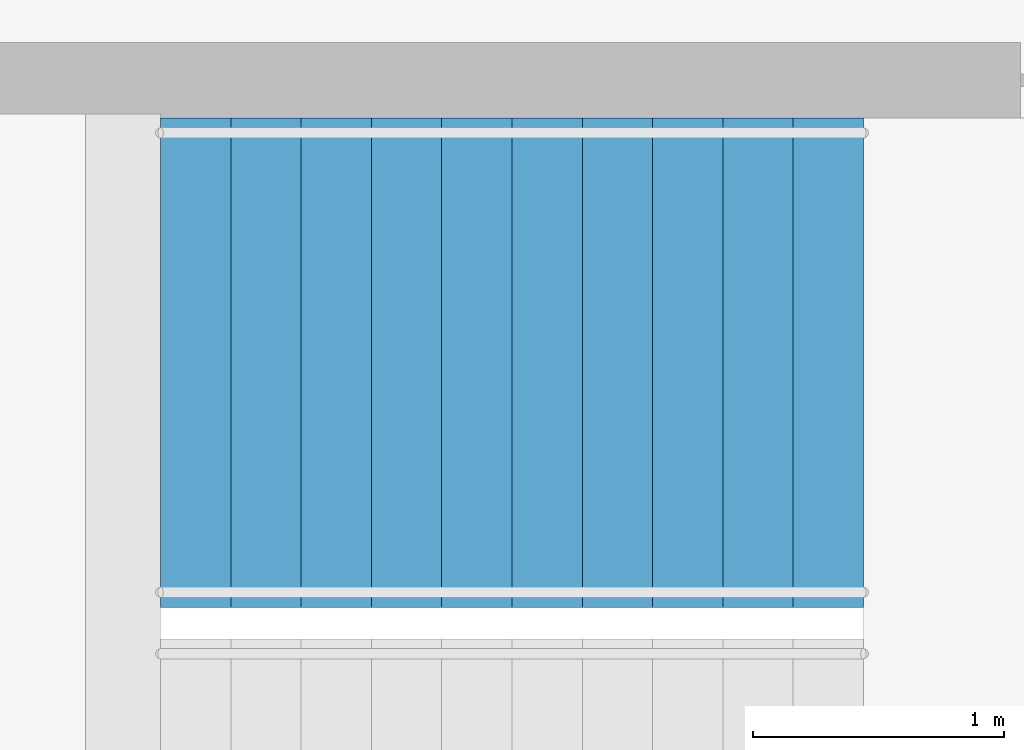
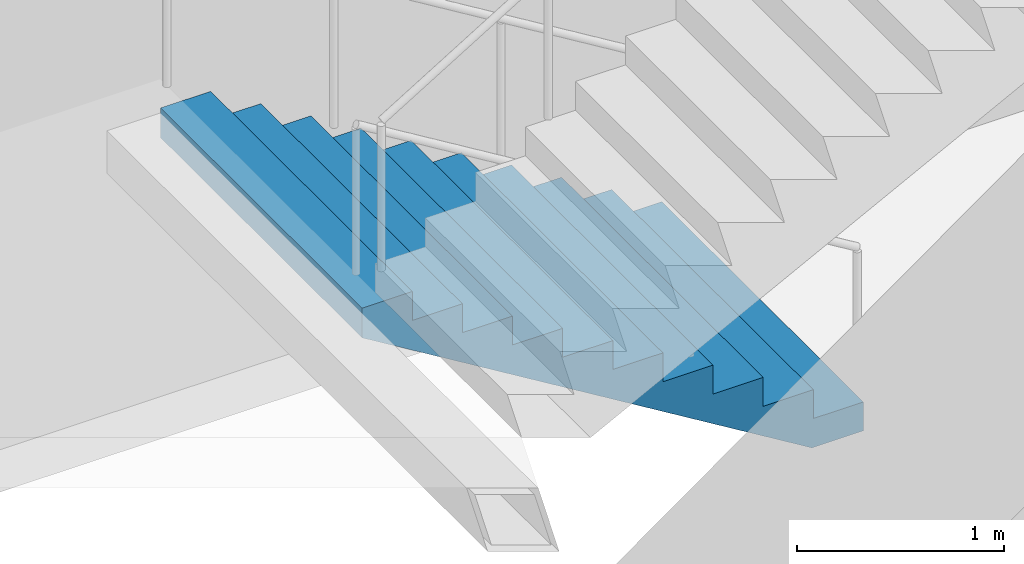
# One storey, part 21 of 22: 1 stair flight, 1 element without a shape of its own.
"""IFC4 building model written with IfcOpenShell, lengths in metres."""

from ifc_helpers import new_model, si_unit, direction, frame, origin, place, context, subcontext, project, spatial, triangles, material, type_object, element, aggregate, save


model = new_model("IFC4")

# Units and contexts
model_context = context("Model", 3, precision=1e-05, world=origin(), true_north=direction((0.0, 1.0)))
body_context = subcontext(model_context, "Body", "Model", "MODEL_VIEW")
ifc_project = project(units=[si_unit("LENGTHUNIT", "METRE"), si_unit("AREAUNIT", "SQUARE_METRE"), si_unit("VOLUMEUNIT", "CUBIC_METRE"), si_unit("PLANEANGLEUNIT", "RADIAN"), si_unit("MASSUNIT", "GRAM", prefix="KILO")], contexts=[model_context])

# Site, building, storey
site_placement = place(None, origin())
site = spatial("IfcSite", under=ifc_project, at=site_placement, CompositionType="ELEMENT")
building_placement = place(site_placement, origin())
building = spatial("IfcBuilding", under=site, at=building_placement, Name="Orbita Commons", CompositionType="ELEMENT")
storey_placement = place(building_placement, frame((0.0, 0.0, 189.85009765625)))
storey = spatial("IfcBuildingStorey", under=building, at=storey_placement, Name="L47", CompositionType="ELEMENT", Elevation=189.85009765625)

# Stair, stair flight
ifc_material_1 = material(Name="Precast concrete C40/50", Category="concrete")
stair_type = type_object("IfcStairType", Name="Exit stair S2 2 flights 11 risers 170", PredefinedType="HALF_TURN_STAIR", material=ifc_material_1)
stair_placement = place(storey_placement, origin())
stair = element("IfcStair", 1, at=stair_placement, inside=storey, type_object=stair_type, Name="Exit stair S2 L47", PredefinedType="HALF_TURN_STAIR")
ifc_material_2 = material(Name="Precast concrete C40/50", Category="concrete")
stair_flight_type = type_object("IfcStairFlightType", Name="Stair flight 11 risers 170 x 280", PredefinedType="STRAIGHT", material=ifc_material_2)
stair_flight_placement = place(storey_placement, frame((63.550048828125, 29.27490234375, 0.0), z_axis=(0.0, 0.0, 1.0), x_axis=(-1.0, 0.0, 0.0)))
stair_flight = element("IfcStairFlight", 2, at=stair_flight_placement, type_object=stair_flight_type, Name="S2 flight 1", NumberOfRisers=11, NumberOfTreads=10, PredefinedType="STRAIGHT", RiserHeight=0.170454545, TreadLength=0.28, context=body_context, shape_type="Tessellation", body=[
    triangles([(0.0, 0.974976, 0.0), (0.0, 0.974976, 0.021307), (0.0, 0.81248, 0.021307), (0.0, 0.81248, 0.0), (0.0, 0.649984, 0.021307), (0.0, 0.649984, 0.0), (0.0, 0.487488, 0.021307), (0.0, 0.487488, 0.0), (0.0, 0.324992, 0.021307), (0.0, 0.324992, 0.0), (0.0, 0.162496, 0.021307), (0.0, 0.162496, 0.0), (0.0, 0.0, 0.021307), (0.0, 0.0, 0.0), (0.0, -0.162496, 0.021307), (0.0, -0.162496, 0.0), (0.0, -0.324992, 0.021307), (0.0, -0.324992, 0.0), (0.0, -0.487488, 0.021307), (0.0, -0.487488, 0.0), (0.0, -0.649984, 0.021307), (0.0, -0.649984, 0.0), (0.0, -0.81248, 0.021307), (0.0, -0.81248, 0.0), (0.0, -0.974976, 0.021307), (0.0, -0.974976, 0.0), (0.0, 0.974976, 0.042614), (0.0, 0.81248, 0.042614), (0.0, 0.649984, 0.042614), (0.0, 0.487488, 0.042614), (0.0, 0.324992, 0.042614), (0.0, 0.162496, 0.042614), (0.0, 0.0, 0.042614), (0.0, -0.162496, 0.042614), (0.0, -0.324992, 0.042614), (0.0, -0.487488, 0.042614), (0.0, -0.649984, 0.042614), (0.0, -0.81248, 0.042614), (0.0, -0.974976, 0.042614), (0.0, 0.974976, 0.06392), (0.0, 0.81248, 0.06392), (0.0, 0.649984, 0.06392), (0.0, 0.487488, 0.06392), (0.0, 0.324992, 0.06392), (0.0, 0.162496, 0.06392), (0.0, 0.0, 0.06392), (0.0, -0.162496, 0.06392), (0.0, -0.324992, 0.06392), (0.0, -0.487488, 0.06392), (0.0, -0.649984, 0.06392), (0.0, -0.81248, 0.06392), (0.0, -0.974976, 0.06392), (0.0, 0.974976, 0.085227), (0.0, 0.81248, 0.085227), (0.0, 0.649984, 0.085227), (0.0, 0.487488, 0.085227), (0.0, 0.324992, 0.085227), (0.0, 0.162496, 0.085227), (0.0, 0.0, 0.085227), (0.0, -0.162496, 0.085227), (0.0, -0.324992, 0.085227), (0.0, -0.487488, 0.085227), (0.0, -0.649984, 0.085227), (0.0, -0.81248, 0.085227), (0.0, -0.974976, 0.085227), (0.0, 0.974976, 0.106534), (0.0, 0.81248, 0.106534), (0.0, 0.649984, 0.106534), (0.0, 0.487488, 0.106534), (0.0, 0.324992, 0.106534), (0.0, 0.162496, 0.106534), (0.0, 0.0, 0.106534), (0.0, -0.162496, 0.106534), (0.0, -0.324992, 0.106534), (0.0, -0.487488, 0.106534), (0.0, -0.649984, 0.106534), (0.0, -0.81248, 0.106534), (0.0, -0.974976, 0.106534), (0.0, 0.974976, 0.127841), (0.0, 0.81248, 0.127841), (0.0, 0.649984, 0.127841), (0.0, 0.487488, 0.127841), (0.0, 0.324992, 0.127841), (0.0, 0.162496, 0.127841), (0.0, 0.0, 0.127841), (0.0, -0.162496, 0.127841), (0.0, -0.324992, 0.127841), (0.0, -0.487488, 0.127841), (0.0, -0.649984, 0.127841), (0.0, -0.81248, 0.127841), (0.0, -0.974976, 0.127841), (0.0, 0.974976, 0.149148), (0.0, 0.81248, 0.149148), (0.0, 0.649984, 0.149148), (0.0, 0.487488, 0.149148), (0.0, 0.324992, 0.149148), (0.0, 0.162496, 0.149148), (0.0, 0.0, 0.149148), (0.0, -0.162496, 0.149148), (0.0, -0.324992, 0.149148), (0.0, -0.487488, 0.149148), (0.0, -0.649984, 0.149148), (0.0, -0.81248, 0.149148), (0.0, -0.974976, 0.149148), (0.0, 0.974976, 0.170455), (0.0, 0.81248, 0.170455), (0.0, 0.649984, 0.170455), (0.0, 0.487488, 0.170455), (0.0, 0.324992, 0.170455), (0.0, 0.162496, 0.170455), (0.0, 0.0, 0.170455), (0.0, -0.162496, 0.170455), (0.0, -0.324992, 0.170455), (0.0, -0.487488, 0.170455), (0.0, -0.649984, 0.170455), (0.0, -0.81248, 0.170455), (0.0, -0.974976, 0.170455), (0.28, 0.974976, 0.170455), (0.28, 0.81248, 0.170455), (0.28, 0.649984, 0.170455), (0.28, 0.487488, 0.170455), (0.28, 0.324992, 0.170455), (0.28, 0.162496, 0.170455), (0.28, 0.0, 0.170455), (0.28, -0.162496, 0.170455), (0.28, -0.324992, 0.170455), (0.28, -0.487488, 0.170455), (0.28, -0.649984, 0.170455), (0.28, -0.81248, 0.170455), (0.28, -0.974976, 0.170455), (0.28, 0.974976, 0.340909), (0.28, 0.81248, 0.340909), (0.28, 0.649984, 0.340909), (0.28, 0.487488, 0.340909), (0.28, 0.324992, 0.340909), (0.28, 0.162496, 0.340909), (0.28, 0.0, 0.340909), (0.28, -0.162496, 0.340909), (0.28, -0.324992, 0.340909), (0.28, -0.487488, 0.340909), (0.28, -0.649984, 0.340909), (0.28, -0.81248, 0.340909), (0.28, -0.974976, 0.340909), (0.56, 0.974976, 0.340909), (0.56, 0.81248, 0.340909), (0.56, 0.649984, 0.340909), (0.56, 0.487488, 0.340909), (0.56, 0.324992, 0.340909), (0.56, 0.162496, 0.340909), (0.56, 0.0, 0.340909), (0.56, -0.162496, 0.340909), (0.56, -0.324992, 0.340909), (0.56, -0.487488, 0.340909), (0.56, -0.649984, 0.340909), (0.56, -0.81248, 0.340909), (0.56, -0.974976, 0.340909), (0.56, 0.974976, 0.511364), (0.56, 0.81248, 0.511364), (0.56, 0.649984, 0.511364), (0.56, 0.487488, 0.511364), (0.56, 0.324992, 0.511364), (0.56, 0.162496, 0.511364), (0.56, 0.0, 0.511364), (0.56, -0.162496, 0.511364), (0.56, -0.324992, 0.511364), (0.56, -0.487488, 0.511364), (0.56, -0.649984, 0.511364), (0.56, -0.81248, 0.511364), (0.56, -0.974976, 0.511364), (0.84, 0.974976, 0.511364), (0.84, 0.81248, 0.511364), (0.84, 0.649984, 0.511364), (0.84, 0.487488, 0.511364), (0.84, 0.324992, 0.511364), (0.84, 0.162496, 0.511364), (0.84, 0.0, 0.511364), (0.84, -0.162496, 0.511364), (0.84, -0.324992, 0.511364), (0.84, -0.487488, 0.511364), (0.84, -0.649984, 0.511364), (0.84, -0.81248, 0.511364), (0.84, -0.974976, 0.511364), (0.84, 0.974976, 0.681818), (0.84, 0.81248, 0.681818), (0.84, 0.649984, 0.681818), (0.84, 0.487488, 0.681818), (0.84, 0.324992, 0.681818), (0.84, 0.162496, 0.681818), (0.84, 0.0, 0.681818), (0.84, -0.162496, 0.681818), (0.84, -0.324992, 0.681818), (0.84, -0.487488, 0.681818), (0.84, -0.649984, 0.681818), (0.84, -0.81248, 0.681818), (0.84, -0.974976, 0.681818), (1.12, 0.974976, 0.681818), (1.12, 0.81248, 0.681818), (1.12, 0.649984, 0.681818), (1.12, 0.487488, 0.681818), (1.12, 0.324992, 0.681818), (1.12, 0.162496, 0.681818), (1.12, 0.0, 0.681818), (1.12, -0.162496, 0.681818), (1.12, -0.324992, 0.681818), (1.12, -0.487488, 0.681818), (1.12, -0.649984, 0.681818), (1.12, -0.81248, 0.681818), (1.12, -0.974976, 0.681818), (1.12, 0.974976, 0.852273), (1.12, 0.81248, 0.852273), (1.12, 0.649984, 0.852273), (1.12, 0.487488, 0.852273), (1.12, 0.324992, 0.852273), (1.12, 0.162496, 0.852273), (1.12, 0.0, 0.852273), (1.12, -0.162496, 0.852273), (1.12, -0.324992, 0.852273), (1.12, -0.487488, 0.852273), (1.12, -0.649984, 0.852273), (1.12, -0.81248, 0.852273), (1.12, -0.974976, 0.852273), (1.4, 0.974976, 0.852273), (1.4, 0.81248, 0.852273), (1.4, 0.649984, 0.852273), (1.4, 0.487488, 0.852273), (1.4, 0.324992, 0.852273), (1.4, 0.162496, 0.852273), (1.4, 0.0, 0.852273), (1.4, -0.162496, 0.852273), (1.4, -0.324992, 0.852273), (1.4, -0.487488, 0.852273), (1.4, -0.649984, 0.852273), (1.4, -0.81248, 0.852273), (1.4, -0.974976, 0.852273), (1.4, 0.974976, 1.022727), (1.4, 0.81248, 1.022727), (1.4, 0.649984, 1.022727), (1.4, 0.487488, 1.022727), (1.4, 0.324992, 1.022727), (1.4, 0.162496, 1.022727), (1.4, 0.0, 1.022727), (1.4, -0.162496, 1.022727), (1.4, -0.324992, 1.022727), (1.4, -0.487488, 1.022727), (1.4, -0.649984, 1.022727), (1.4, -0.81248, 1.022727), (1.4, -0.974976, 1.022727), (1.68, 0.974976, 1.022727), (1.68, 0.81248, 1.022727), (1.68, 0.649984, 1.022727), (1.68, 0.487488, 1.022727), (1.68, 0.324992, 1.022727), (1.68, 0.162496, 1.022727), (1.68, 0.0, 1.022727), (1.68, -0.162496, 1.022727), (1.68, -0.324992, 1.022727), (1.68, -0.487488, 1.022727), (1.68, -0.649984, 1.022727), (1.68, -0.81248, 1.022727), (1.68, -0.974976, 1.022727), (1.68, 0.974976, 1.193182), (1.68, 0.81248, 1.193182), (1.68, 0.649984, 1.193182), (1.68, 0.487488, 1.193182), (1.68, 0.324992, 1.193182), (1.68, 0.162496, 1.193182), (1.68, 0.0, 1.193182), (1.68, -0.162496, 1.193182), (1.68, -0.324992, 1.193182), (1.68, -0.487488, 1.193182), (1.68, -0.649984, 1.193182), (1.68, -0.81248, 1.193182), (1.68, -0.974976, 1.193182), (1.96, 0.974976, 1.193182), (1.96, 0.81248, 1.193182), (1.96, 0.649984, 1.193182), (1.96, 0.487488, 1.193182), (1.96, 0.324992, 1.193182), (1.96, 0.162496, 1.193182), (1.96, 0.0, 1.193182), (1.96, -0.162496, 1.193182), (1.96, -0.324992, 1.193182), (1.96, -0.487488, 1.193182), (1.96, -0.649984, 1.193182), (1.96, -0.81248, 1.193182), (1.96, -0.974976, 1.193182), (1.96, 0.974976, 1.363636), (1.96, 0.81248, 1.363636), (1.96, 0.649984, 1.363636), (1.96, 0.487488, 1.363636), (1.96, 0.324992, 1.363636), (1.96, 0.162496, 1.363636), (1.96, 0.0, 1.363636), (1.96, -0.162496, 1.363636), (1.96, -0.324992, 1.363636), (1.96, -0.487488, 1.363636), (1.96, -0.649984, 1.363636), (1.96, -0.81248, 1.363636), (1.96, -0.974976, 1.363636), (2.24, 0.974976, 1.363636), (2.24, 0.81248, 1.363636), (2.24, 0.649984, 1.363636), (2.24, 0.487488, 1.363636), (2.24, 0.324992, 1.363636), (2.24, 0.162496, 1.363636), (2.24, 0.0, 1.363636), (2.24, -0.162496, 1.363636), (2.24, -0.324992, 1.363636), (2.24, -0.487488, 1.363636), (2.24, -0.649984, 1.363636), (2.24, -0.81248, 1.363636), (2.24, -0.974976, 1.363636), (2.24, 0.974976, 1.534091), (2.24, 0.81248, 1.534091), (2.24, 0.649984, 1.534091), (2.24, 0.487488, 1.534091), (2.24, 0.324992, 1.534091), (2.24, 0.162496, 1.534091), (2.24, 0.0, 1.534091), (2.24, -0.162496, 1.534091), (2.24, -0.324992, 1.534091), (2.24, -0.487488, 1.534091), (2.24, -0.649984, 1.534091), (2.24, -0.81248, 1.534091), (2.24, -0.974976, 1.534091), (2.52, 0.974976, 1.534091), (2.52, 0.81248, 1.534091), (2.52, 0.649984, 1.534091), (2.52, 0.487488, 1.534091), (2.52, 0.324992, 1.534091), (2.52, 0.162496, 1.534091), (2.52, 0.0, 1.534091), (2.52, -0.162496, 1.534091), (2.52, -0.324992, 1.534091), (2.52, -0.487488, 1.534091), (2.52, -0.649984, 1.534091), (2.52, -0.81248, 1.534091), (2.52, -0.974976, 1.534091), (2.52, 0.974976, 1.704545), (2.52, 0.81248, 1.704545), (2.52, 0.649984, 1.704545), (2.52, 0.487488, 1.704545), (2.52, 0.324992, 1.704545), (2.52, 0.162496, 1.704545), (2.52, 0.0, 1.704545), (2.52, -0.162496, 1.704545), (2.52, -0.324992, 1.704545), (2.52, -0.487488, 1.704545), (2.52, -0.649984, 1.704545), (2.52, -0.81248, 1.704545), (2.52, -0.974976, 1.704545), (2.8, 0.974976, 1.704545), (2.8, 0.81248, 1.704545), (2.8, 0.649984, 1.704545), (2.8, 0.487488, 1.704545), (2.8, 0.324992, 1.704545), (2.8, 0.162496, 1.704545), (2.8, 0.0, 1.704545), (2.8, -0.162496, 1.704545), (2.8, -0.324992, 1.704545), (2.8, -0.487488, 1.704545), (2.8, -0.649984, 1.704545), (2.8, -0.81248, 1.704545), (2.8, -0.974976, 1.704545), (2.8, 0.974976, 1.682609), (2.8, 0.81248, 1.682609), (2.8, 0.649984, 1.682609), (2.8, 0.487488, 1.682609), (2.8, 0.324992, 1.682609), (2.8, 0.162496, 1.682609), (2.8, 0.0, 1.682609), (2.8, -0.162496, 1.682609), (2.8, -0.324992, 1.682609), (2.8, -0.487488, 1.682609), (2.8, -0.649984, 1.682609), (2.8, -0.81248, 1.682609), (2.8, -0.974976, 1.682609), (2.8, 0.974976, 1.660672), (2.8, 0.81248, 1.660672), (2.8, 0.649984, 1.660672), (2.8, 0.487488, 1.660672), (2.8, 0.324992, 1.660672), (2.8, 0.162496, 1.660672), (2.8, 0.0, 1.660672), (2.8, -0.162496, 1.660672), (2.8, -0.324992, 1.660672), (2.8, -0.487488, 1.660672), (2.8, -0.649984, 1.660672), (2.8, -0.81248, 1.660672), (2.8, -0.974976, 1.660672), (2.8, 0.974976, 1.638735), (2.8, 0.81248, 1.638735), (2.8, 0.649984, 1.638735), (2.8, 0.487488, 1.638735), (2.8, 0.324992, 1.638735), (2.8, 0.162496, 1.638735), (2.8, 0.0, 1.638735), (2.8, -0.162496, 1.638735), (2.8, -0.324992, 1.638735), (2.8, -0.487488, 1.638735), (2.8, -0.649984, 1.638735), (2.8, -0.81248, 1.638735), (2.8, -0.974976, 1.638735), (2.8, 0.974976, 1.616798), (2.8, 0.81248, 1.616798), (2.8, 0.649984, 1.616798), (2.8, 0.487488, 1.616798), (2.8, 0.324992, 1.616798), (2.8, 0.162496, 1.616798), (2.8, 0.0, 1.616798), (2.8, -0.162496, 1.616798), (2.8, -0.324992, 1.616798), (2.8, -0.487488, 1.616798), (2.8, -0.649984, 1.616798), (2.8, -0.81248, 1.616798), (2.8, -0.974976, 1.616798), (2.8, 0.974976, 1.594861), (2.8, 0.81248, 1.594861), (2.8, 0.649984, 1.594861), (2.8, 0.487488, 1.594861), (2.8, 0.324992, 1.594861), (2.8, 0.162496, 1.594861), (2.8, 0.0, 1.594861), (2.8, -0.162496, 1.594861), (2.8, -0.324992, 1.594861), (2.8, -0.487488, 1.594861), (2.8, -0.649984, 1.594861), (2.8, -0.81248, 1.594861), (2.8, -0.974976, 1.594861), (2.8, 0.974976, 1.572925), (2.8, 0.81248, 1.572925), (2.8, 0.649984, 1.572925), (2.8, 0.487488, 1.572925), (2.8, 0.324992, 1.572925), (2.8, 0.162496, 1.572925), (2.8, 0.0, 1.572925), (2.8, -0.162496, 1.572925), (2.8, -0.324992, 1.572925), (2.8, -0.487488, 1.572925), (2.8, -0.649984, 1.572925), (2.8, -0.81248, 1.572925), (2.8, -0.974976, 1.572925), (2.8, 0.974976, 1.550988), (2.8, 0.81248, 1.550988), (2.8, 0.649984, 1.550988), (2.8, 0.487488, 1.550988), (2.8, 0.324992, 1.550988), (2.8, 0.162496, 1.550988), (2.8, 0.0, 1.550988), (2.8, -0.162496, 1.550988), (2.8, -0.324992, 1.550988), (2.8, -0.487488, 1.550988), (2.8, -0.649984, 1.550988), (2.8, -0.81248, 1.550988), (2.8, -0.974976, 1.550988), (2.8, 0.974976, 1.529051), (2.8, 0.81248, 1.529051), (2.8, 0.649984, 1.529051), (2.8, 0.487488, 1.529051), (2.8, 0.324992, 1.529051), (2.8, 0.162496, 1.529051), (2.8, 0.0, 1.529051), (2.8, -0.162496, 1.529051), (2.8, -0.324992, 1.529051), (2.8, -0.487488, 1.529051), (2.8, -0.649984, 1.529051), (2.8, -0.81248, 1.529051), (2.8, -0.974976, 1.529051), (0.288279, 0.974976, 0.0), (0.288279, 0.81248, 0.0), (0.288279, 0.649984, 0.0), (0.288279, 0.487488, 0.0), (0.288279, 0.324992, 0.0), (0.288279, 0.162496, 0.0), (0.288279, 0.0, 0.0), (0.288279, -0.162496, 0.0), (0.288279, -0.324992, 0.0), (0.288279, -0.487488, 0.0), (0.288279, -0.649984, 0.0), (0.288279, -0.81248, 0.0), (0.288279, -0.974976, 0.0)], [[3, 2, 1], [4, 3, 1], [5, 3, 4], [6, 5, 4], [7, 5, 6], [8, 7, 6], [9, 7, 8], [10, 9, 8], [11, 9, 10], [12, 11, 10], [13, 11, 12], [14, 13, 12], [15, 13, 14], [16, 15, 14], [17, 15, 16], [18, 17, 16], [19, 17, 18], [20, 19, 18], [21, 19, 20], [22, 21, 20], [23, 21, 22], [24, 23, 22], [25, 23, 24], [26, 25, 24], [28, 27, 2], [3, 28, 2], [29, 28, 3], [5, 29, 3], [30, 29, 5], [7, 30, 5], [31, 30, 7], [9, 31, 7], [32, 31, 9], [11, 32, 9], [33, 32, 11], [13, 33, 11], [34, 33, 13], [15, 34, 13], [35, 34, 15], [17, 35, 15], [36, 35, 17], [19, 36, 17], [37, 36, 19], [21, 37, 19], [38, 37, 21], [23, 38, 21], [39, 38, 23], [25, 39, 23], [41, 40, 27], [28, 41, 27], [42, 41, 28], [29, 42, 28], [43, 42, 29], [30, 43, 29], [44, 43, 30], [31, 44, 30], [45, 44, 31], [32, 45, 31], [46, 45, 32], [33, 46, 32], [47, 46, 33], [34, 47, 33], [48, 47, 34], [35, 48, 34], [49, 48, 35], [36, 49, 35], [50, 49, 36], [37, 50, 36], [51, 50, 37], [38, 51, 37], [52, 51, 38], [39, 52, 38], [54, 53, 40], [41, 54, 40], [55, 54, 41], [42, 55, 41], [56, 55, 42], [43, 56, 42], [57, 56, 43], [44, 57, 43], [58, 57, 44], [45, 58, 44], [59, 58, 45], [46, 59, 45], [60, 59, 46], [47, 60, 46], [61, 60, 47], [48, 61, 47], [62, 61, 48], [49, 62, 48], [63, 62, 49], [50, 63, 49], [64, 63, 50], [51, 64, 50], [65, 64, 51], [52, 65, 51], [67, 66, 53], [54, 67, 53], [68, 67, 54], [55, 68, 54], [69, 68, 55], [56, 69, 55], [70, 69, 56], [57, 70, 56], [71, 70, 57], [58, 71, 57], [72, 71, 58], [59, 72, 58], [73, 72, 59], [60, 73, 59], [74, 73, 60], [61, 74, 60], [75, 74, 61], [62, 75, 61], [76, 75, 62], [63, 76, 62], [77, 76, 63], [64, 77, 63], [78, 77, 64], [65, 78, 64], [80, 79, 66], [67, 80, 66], [81, 80, 67], [68, 81, 67], [82, 81, 68], [69, 82, 68], [83, 82, 69], [70, 83, 69], [84, 83, 70], [71, 84, 70], [85, 84, 71], [72, 85, 71], [86, 85, 72], [73, 86, 72], [87, 86, 73], [74, 87, 73], [88, 87, 74], [75, 88, 74], [89, 88, 75], [76, 89, 75], [90, 89, 76], [77, 90, 76], [91, 90, 77], [78, 91, 77], [93, 92, 79], [80, 93, 79], [94, 93, 80], [81, 94, 80], [95, 94, 81], [82, 95, 81], [96, 95, 82], [83, 96, 82], [97, 96, 83], [84, 97, 83], [98, 97, 84], [85, 98, 84], [99, 98, 85], [86, 99, 85], [100, 99, 86], [87, 100, 86], [101, 100, 87], [88, 101, 87], [102, 101, 88], [89, 102, 88], [103, 102, 89], [90, 103, 89], [104, 103, 90], [91, 104, 90], [106, 105, 92], [93, 106, 92], [107, 106, 93], [94, 107, 93], [108, 107, 94], [95, 108, 94], [109, 108, 95], [96, 109, 95], [110, 109, 96], [97, 110, 96], [111, 110, 97], [98, 111, 97], [112, 111, 98], [99, 112, 98], [113, 112, 99], [100, 113, 99], [114, 113, 100], [101, 114, 100], [115, 114, 101], [102, 115, 101], [116, 115, 102], [103, 116, 102], [117, 116, 103], [104, 117, 103], [119, 118, 105], [106, 119, 105], [120, 119, 106], [107, 120, 106], [121, 120, 107], [108, 121, 107], [122, 121, 108], [109, 122, 108], [123, 122, 109], [110, 123, 109], [124, 123, 110], [111, 124, 110], [125, 124, 111], [112, 125, 111], [126, 125, 112], [113, 126, 112], [127, 126, 113], [114, 127, 113], [128, 127, 114], [115, 128, 114], [129, 128, 115], [116, 129, 115], [130, 129, 116], [117, 130, 116], [132, 131, 118], [119, 132, 118], [133, 132, 119], [120, 133, 119], [134, 133, 120], [121, 134, 120], [135, 134, 121], [122, 135, 121], [136, 135, 122], [123, 136, 122], [137, 136, 123], [124, 137, 123], [138, 137, 124], [125, 138, 124], [139, 138, 125], [126, 139, 125], [140, 139, 126], [127, 140, 126], [141, 140, 127], [128, 141, 127], [142, 141, 128], [129, 142, 128], [143, 142, 129], [130, 143, 129], [145, 144, 131], [132, 145, 131], [146, 145, 132], [133, 146, 132], [147, 146, 133], [134, 147, 133], [148, 147, 134], [135, 148, 134], [149, 148, 135], [136, 149, 135], [150, 149, 136], [137, 150, 136], [151, 150, 137], [138, 151, 137], [152, 151, 138], [139, 152, 138], [153, 152, 139], [140, 153, 139], [154, 153, 140], [141, 154, 140], [155, 154, 141], [142, 155, 141], [156, 155, 142], [143, 156, 142], [158, 157, 144], [145, 158, 144], [159, 158, 145], [146, 159, 145], [160, 159, 146], [147, 160, 146], [161, 160, 147], [148, 161, 147], [162, 161, 148], [149, 162, 148], [163, 162, 149], [150, 163, 149], [164, 163, 150], [151, 164, 150], [165, 164, 151], [152, 165, 151], [166, 165, 152], [153, 166, 152], [167, 166, 153], [154, 167, 153], [168, 167, 154], [155, 168, 154], [169, 168, 155], [156, 169, 155], [171, 170, 157], [158, 171, 157], [172, 171, 158], [159, 172, 158], [173, 172, 159], [160, 173, 159], [174, 173, 160], [161, 174, 160], [175, 174, 161], [162, 175, 161], [176, 175, 162], [163, 176, 162], [177, 176, 163], [164, 177, 163], [178, 177, 164], [165, 178, 164], [179, 178, 165], [166, 179, 165], [180, 179, 166], [167, 180, 166], [181, 180, 167], [168, 181, 167], [182, 181, 168], [169, 182, 168], [184, 183, 170], [171, 184, 170], [185, 184, 171], [172, 185, 171], [186, 185, 172], [173, 186, 172], [187, 186, 173], [174, 187, 173], [188, 187, 174], [175, 188, 174], [189, 188, 175], [176, 189, 175], [190, 189, 176], [177, 190, 176], [191, 190, 177], [178, 191, 177], [192, 191, 178], [179, 192, 178], [193, 192, 179], [180, 193, 179], [194, 193, 180], [181, 194, 180], [195, 194, 181], [182, 195, 181], [197, 196, 183], [184, 197, 183], [198, 197, 184], [185, 198, 184], [199, 198, 185], [186, 199, 185], [200, 199, 186], [187, 200, 186], [201, 200, 187], [188, 201, 187], [202, 201, 188], [189, 202, 188], [203, 202, 189], [190, 203, 189], [204, 203, 190], [191, 204, 190], [205, 204, 191], [192, 205, 191], [206, 205, 192], [193, 206, 192], [207, 206, 193], [194, 207, 193], [208, 207, 194], [195, 208, 194], [210, 209, 196], [197, 210, 196], [211, 210, 197], [198, 211, 197], [212, 211, 198], [199, 212, 198], [213, 212, 199], [200, 213, 199], [214, 213, 200], [201, 214, 200], [215, 214, 201], [202, 215, 201], [216, 215, 202], [203, 216, 202], [217, 216, 203], [204, 217, 203], [218, 217, 204], [205, 218, 204], [219, 218, 205], [206, 219, 205], [220, 219, 206], [207, 220, 206], [221, 220, 207], [208, 221, 207], [223, 222, 209], [210, 223, 209], [224, 223, 210], [211, 224, 210], [225, 224, 211], [212, 225, 211], [226, 225, 212], [213, 226, 212], [227, 226, 213], [214, 227, 213], [228, 227, 214], [215, 228, 214], [229, 228, 215], [216, 229, 215], [230, 229, 216], [217, 230, 216], [231, 230, 217], [218, 231, 217], [232, 231, 218], [219, 232, 218], [233, 232, 219], [220, 233, 219], [234, 233, 220], [221, 234, 220], [236, 235, 222], [223, 236, 222], [237, 236, 223], [224, 237, 223], [238, 237, 224], [225, 238, 224], [239, 238, 225], [226, 239, 225], [240, 239, 226], [227, 240, 226], [241, 240, 227], [228, 241, 227], [242, 241, 228], [229, 242, 228], [243, 242, 229], [230, 243, 229], [244, 243, 230], [231, 244, 230], [245, 244, 231], [232, 245, 231], [246, 245, 232], [233, 246, 232], [247, 246, 233], [234, 247, 233], [249, 248, 235], [236, 249, 235], [250, 249, 236], [237, 250, 236], [251, 250, 237], [238, 251, 237], [252, 251, 238], [239, 252, 238], [253, 252, 239], [240, 253, 239], [254, 253, 240], [241, 254, 240], [255, 254, 241], [242, 255, 241], [256, 255, 242], [243, 256, 242], [257, 256, 243], [244, 257, 243], [258, 257, 244], [245, 258, 244], [259, 258, 245], [246, 259, 245], [260, 259, 246], [247, 260, 246], [262, 261, 248], [249, 262, 248], [263, 262, 249], [250, 263, 249], [264, 263, 250], [251, 264, 250], [265, 264, 251], [252, 265, 251], [266, 265, 252], [253, 266, 252], [267, 266, 253], [254, 267, 253], [268, 267, 254], [255, 268, 254], [269, 268, 255], [256, 269, 255], [270, 269, 256], [257, 270, 256], [271, 270, 257], [258, 271, 257], [272, 271, 258], [259, 272, 258], [273, 272, 259], [260, 273, 259], [275, 274, 261], [262, 275, 261], [276, 275, 262], [263, 276, 262], [277, 276, 263], [264, 277, 263], [278, 277, 264], [265, 278, 264], [279, 278, 265], [266, 279, 265], [280, 279, 266], [267, 280, 266], [281, 280, 267], [268, 281, 267], [282, 281, 268], [269, 282, 268], [283, 282, 269], [270, 283, 269], [284, 283, 270], [271, 284, 270], [285, 284, 271], [272, 285, 271], [286, 285, 272], [273, 286, 272], [288, 287, 274], [275, 288, 274], [289, 288, 275], [276, 289, 275], [290, 289, 276], [277, 290, 276], [291, 290, 277], [278, 291, 277], [292, 291, 278], [279, 292, 278], [293, 292, 279], [280, 293, 279], [294, 293, 280], [281, 294, 280], [295, 294, 281], [282, 295, 281], [296, 295, 282], [283, 296, 282], [297, 296, 283], [284, 297, 283], [298, 297, 284], [285, 298, 284], [299, 298, 285], [286, 299, 285], [301, 300, 287], [288, 301, 287], [302, 301, 288], [289, 302, 288], [303, 302, 289], [290, 303, 289], [304, 303, 290], [291, 304, 290], [305, 304, 291], [292, 305, 291], [306, 305, 292], [293, 306, 292], [307, 306, 293], [294, 307, 293], [308, 307, 294], [295, 308, 294], [309, 308, 295], [296, 309, 295], [310, 309, 296], [297, 310, 296], [311, 310, 297], [298, 311, 297], [312, 311, 298], [299, 312, 298], [314, 313, 300], [301, 314, 300], [315, 314, 301], [302, 315, 301], [316, 315, 302], [303, 316, 302], [317, 316, 303], [304, 317, 303], [318, 317, 304], [305, 318, 304], [319, 318, 305], [306, 319, 305], [320, 319, 306], [307, 320, 306], [321, 320, 307], [308, 321, 307], [322, 321, 308], [309, 322, 308], [323, 322, 309], [310, 323, 309], [324, 323, 310], [311, 324, 310], [325, 324, 311], [312, 325, 311], [327, 326, 313], [314, 327, 313], [328, 327, 314], [315, 328, 314], [329, 328, 315], [316, 329, 315], [330, 329, 316], [317, 330, 316], [331, 330, 317], [318, 331, 317], [332, 331, 318], [319, 332, 318], [333, 332, 319], [320, 333, 319], [334, 333, 320], [321, 334, 320], [335, 334, 321], [322, 335, 321], [336, 335, 322], [323, 336, 322], [337, 336, 323], [324, 337, 323], [338, 337, 324], [325, 338, 324], [340, 339, 326], [327, 340, 326], [341, 340, 327], [328, 341, 327], [342, 341, 328], [329, 342, 328], [343, 342, 329], [330, 343, 329], [344, 343, 330], [331, 344, 330], [345, 344, 331], [332, 345, 331], [346, 345, 332], [333, 346, 332], [347, 346, 333], [334, 347, 333], [348, 347, 334], [335, 348, 334], [349, 348, 335], [336, 349, 335], [350, 349, 336], [337, 350, 336], [351, 350, 337], [338, 351, 337], [353, 352, 339], [340, 353, 339], [354, 353, 340], [341, 354, 340], [355, 354, 341], [342, 355, 341], [356, 355, 342], [343, 356, 342], [357, 356, 343], [344, 357, 343], [358, 357, 344], [345, 358, 344], [359, 358, 345], [346, 359, 345], [360, 359, 346], [347, 360, 346], [361, 360, 347], [348, 361, 347], [362, 361, 348], [349, 362, 348], [363, 362, 349], [350, 363, 349], [364, 363, 350], [351, 364, 350], [366, 365, 352], [353, 366, 352], [367, 366, 353], [354, 367, 353], [368, 367, 354], [355, 368, 354], [369, 368, 355], [356, 369, 355], [370, 369, 356], [357, 370, 356], [371, 370, 357], [358, 371, 357], [372, 371, 358], [359, 372, 358], [373, 372, 359], [360, 373, 359], [374, 373, 360], [361, 374, 360], [375, 374, 361], [362, 375, 361], [376, 375, 362], [363, 376, 362], [377, 376, 363], [364, 377, 363], [379, 378, 365], [366, 379, 365], [380, 379, 366], [367, 380, 366], [381, 380, 367], [368, 381, 367], [382, 381, 368], [369, 382, 368], [383, 382, 369], [370, 383, 369], [384, 383, 370], [371, 384, 370], [385, 384, 371], [372, 385, 371], [386, 385, 372], [373, 386, 372], [387, 386, 373], [374, 387, 373], [388, 387, 374], [375, 388, 374], [389, 388, 375], [376, 389, 375], [390, 389, 376], [377, 390, 376], [392, 391, 378], [379, 392, 378], [393, 392, 379], [380, 393, 379], [394, 393, 380], [381, 394, 380], [395, 394, 381], [382, 395, 381], [396, 395, 382], [383, 396, 382], [397, 396, 383], [384, 397, 383], [398, 397, 384], [385, 398, 384], [399, 398, 385], [386, 399, 385], [400, 399, 386], [387, 400, 386], [401, 400, 387], [388, 401, 387], [402, 401, 388], [389, 402, 388], [403, 402, 389], [390, 403, 389], [405, 404, 391], [392, 405, 391], [406, 405, 392], [393, 406, 392], [407, 406, 393], [394, 407, 393], [408, 407, 394], [395, 408, 394], [409, 408, 395], [396, 409, 395], [410, 409, 396], [397, 410, 396], [411, 410, 397], [398, 411, 397], [412, 411, 398], [399, 412, 398], [413, 412, 399], [400, 413, 399], [414, 413, 400], [401, 414, 400], [415, 414, 401], [402, 415, 401], [416, 415, 402], [403, 416, 402], [418, 417, 404], [405, 418, 404], [419, 418, 405], [406, 419, 405], [420, 419, 406], [407, 420, 406], [421, 420, 407], [408, 421, 407], [422, 421, 408], [409, 422, 408], [423, 422, 409], [410, 423, 409], [424, 423, 410], [411, 424, 410], [425, 424, 411], [412, 425, 411], [426, 425, 412], [413, 426, 412], [427, 426, 413], [414, 427, 413], [428, 427, 414], [415, 428, 414], [429, 428, 415], [416, 429, 415], [431, 430, 417], [418, 431, 417], [432, 431, 418], [419, 432, 418], [433, 432, 419], [420, 433, 419], [434, 433, 420], [421, 434, 420], [435, 434, 421], [422, 435, 421], [436, 435, 422], [423, 436, 422], [437, 436, 423], [424, 437, 423], [438, 437, 424], [425, 438, 424], [439, 438, 425], [426, 439, 425], [440, 439, 426], [427, 440, 426], [441, 440, 427], [428, 441, 427], [442, 441, 428], [429, 442, 428], [444, 443, 430], [431, 444, 430], [445, 444, 431], [432, 445, 431], [446, 445, 432], [433, 446, 432], [447, 446, 433], [434, 447, 433], [448, 447, 434], [435, 448, 434], [449, 448, 435], [436, 449, 435], [450, 449, 436], [437, 450, 436], [451, 450, 437], [438, 451, 437], [452, 451, 438], [439, 452, 438], [453, 452, 439], [440, 453, 439], [454, 453, 440], [441, 454, 440], [455, 454, 441], [442, 455, 441], [457, 456, 443], [444, 457, 443], [458, 457, 444], [445, 458, 444], [459, 458, 445], [446, 459, 445], [460, 459, 446], [447, 460, 446], [461, 460, 447], [448, 461, 447], [462, 461, 448], [449, 462, 448], [463, 462, 449], [450, 463, 449], [464, 463, 450], [451, 464, 450], [465, 464, 451], [452, 465, 451], [466, 465, 452], [453, 466, 452], [467, 466, 453], [454, 467, 453], [468, 467, 454], [455, 468, 454], [470, 469, 456], [457, 470, 456], [471, 470, 457], [458, 471, 457], [472, 471, 458], [459, 472, 458], [473, 472, 459], [460, 473, 459], [474, 473, 460], [461, 474, 460], [475, 474, 461], [462, 475, 461], [476, 475, 462], [463, 476, 462], [477, 476, 463], [464, 477, 463], [478, 477, 464], [465, 478, 464], [479, 478, 465], [466, 479, 465], [480, 479, 466], [467, 480, 466], [481, 480, 467], [468, 481, 467], [4, 1, 469], [470, 4, 469], [6, 4, 470], [471, 6, 470], [8, 6, 471], [472, 8, 471], [10, 8, 472], [473, 10, 472], [12, 10, 473], [474, 12, 473], [14, 12, 474], [475, 14, 474], [16, 14, 475], [476, 16, 475], [18, 16, 476], [477, 18, 476], [20, 18, 477], [478, 20, 477], [22, 20, 478], [479, 22, 478], [24, 22, 479], [480, 24, 479], [26, 24, 480], [481, 26, 480], [456, 469, 1], [26, 481, 468], [443, 456, 1], [26, 468, 455], [430, 443, 1], [26, 455, 442], [417, 430, 1], [26, 442, 429], [404, 417, 1], [26, 429, 416], [391, 404, 1], [26, 416, 403], [378, 391, 1], [26, 403, 390], [365, 378, 1], [26, 390, 377], [339, 352, 365], [377, 364, 351], [326, 339, 365], [377, 351, 338], [300, 313, 326], [338, 325, 312], [300, 326, 365], [377, 338, 312], [274, 287, 300], [312, 299, 286], [274, 300, 365], [377, 312, 286], [248, 261, 274], [286, 273, 260], [248, 274, 365], [377, 286, 260], [222, 235, 248], [260, 247, 234], [222, 248, 365], [377, 260, 234], [196, 209, 222], [234, 221, 208], [196, 222, 365], [377, 234, 208], [170, 183, 196], [208, 195, 182], [170, 196, 365], [377, 208, 182], [144, 157, 170], [182, 169, 156], [144, 170, 365], [377, 182, 156], [118, 131, 144], [156, 143, 130], [118, 144, 365], [377, 156, 130], [118, 365, 1], [26, 377, 130], [92, 105, 118], [130, 117, 104], [79, 92, 118], [130, 104, 91], [66, 79, 118], [130, 91, 78], [53, 66, 118], [130, 78, 65], [40, 53, 118], [130, 65, 52], [27, 40, 118], [130, 52, 39], [2, 27, 118], [130, 39, 25], [1, 2, 118], [130, 25, 26]], closed=True),
])
aggregate(stair, [stair_flight])

save(model, "model.ifc")
